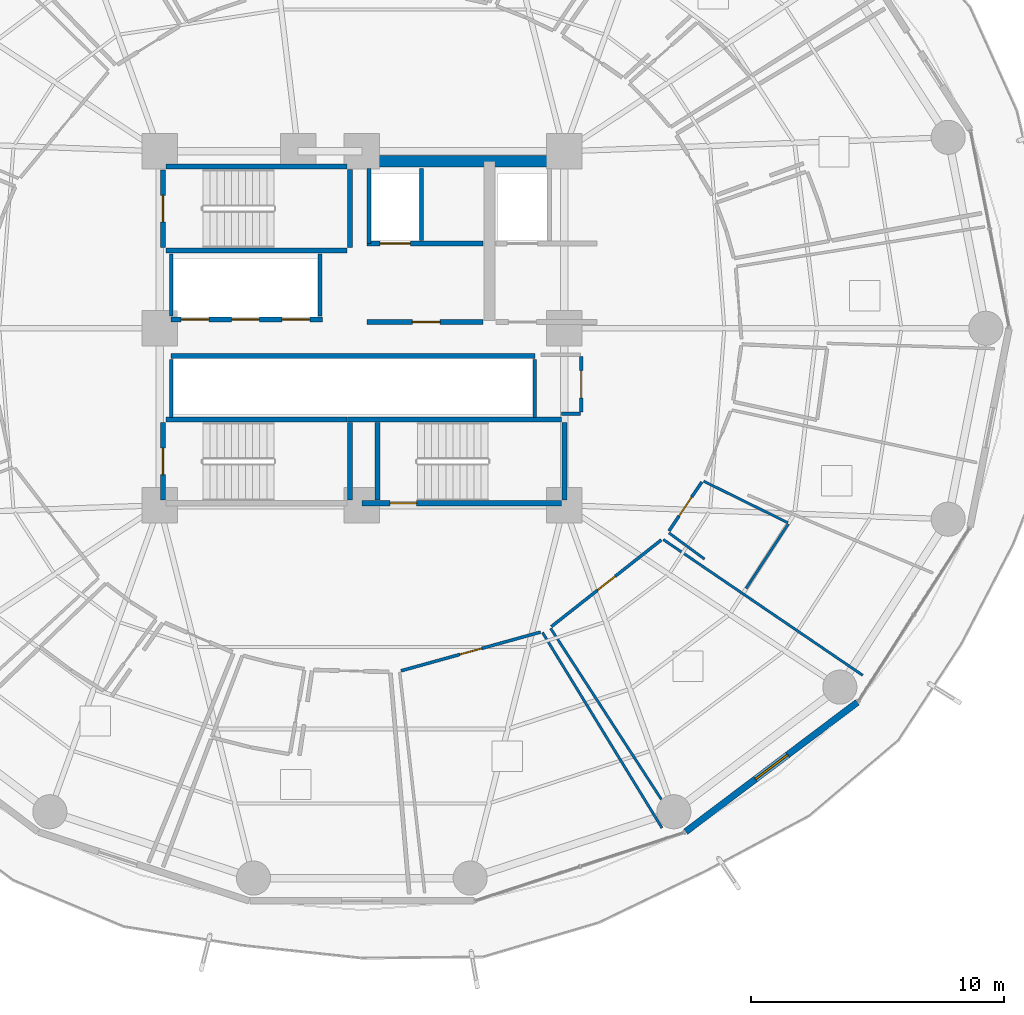
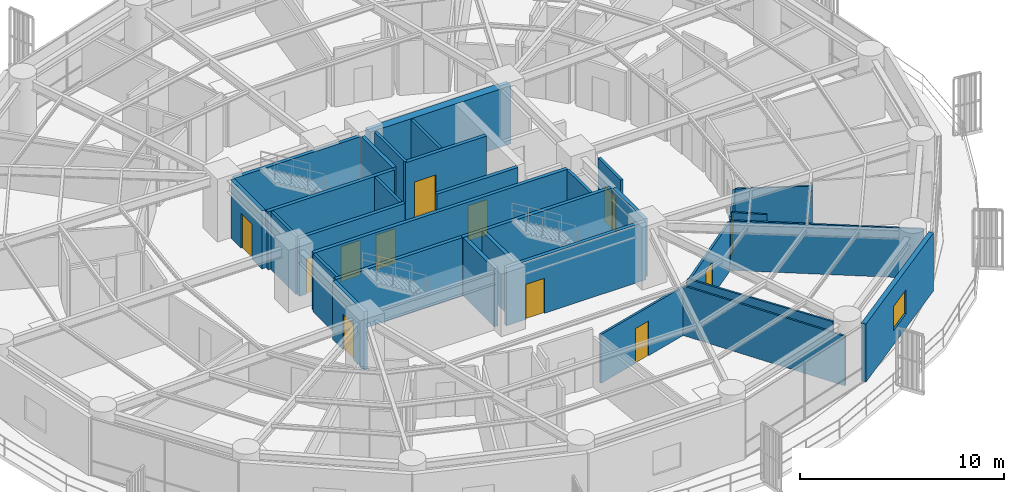
# One storey, part 27 of 34: 34 walls, 12 doors, 1 window, 13 openings.
"""IFC4 building model written with IfcOpenShell, lengths in metres."""

import ifcopenshell
import ifcopenshell.guid

model = None  # the IFC model being written
_history = None  # IfcOwnerHistory: only IFC2X3 demands one
_inside = {}  # id of a spatial element -> (the spatial element, [elements in it])
_under = {}  # id of a project, library or spatial element -> (it, [spatial elements below it])
_declared = {}  # id of a project -> (the project, [libraries it declares])
_typed = {}  # id of a type object -> (the type object, [elements of that type])
_made_of = {}  # id of a material, layer set ... -> (it, [elements and type objects made of it])


def new_model(schema):
    """Start an empty IFC model of exactly this schema.

    Asked for "IFC4X3", IfcOpenShell would pick the latest addendum, in which some entities
    have other attributes; the version numbers below select the first issue.
    IFC2X3 requires an IfcOwnerHistory on every rooted entity: one is made here for all.
    """
    global model, _history
    if schema == "IFC4X3":
        model = ifcopenshell.file(schema_version=(4, 3, 0, 0))
    else:
        model = ifcopenshell.file(schema=schema)
    _inside.clear()
    _under.clear()
    _declared.clear()
    _typed.clear()
    _made_of.clear()
    _history = None
    if model.schema == "IFC2X3":
        org = make("IfcOrganization", Name="unknown")
        user = make(
            "IfcPersonAndOrganization",
            ThePerson=make("IfcPerson", FamilyName="unknown"),
            TheOrganization=org,
        )
        app = make(
            "IfcApplication",
            ApplicationDeveloper=org,
            Version="unknown",
            ApplicationFullName="unknown",
            ApplicationIdentifier="unknown",
        )
        _history = make(
            "IfcOwnerHistory",
            OwningUser=user,
            OwningApplication=app,
            ChangeAction="ADDED",
            CreationDate=0,
        )
    return model


def make(cls, **values):
    """One entity of the class cls with the attributes given. An attribute that is None is left unset."""
    return model.create_entity(
        cls, **{name: value for name, value in values.items() if value is not None}
    )


def rooted(cls, **values):
    """An entity with a GlobalId (a new one), such as an element, a storey or a relation."""
    return make(cls, GlobalId=ifcopenshell.guid.new(), OwnerHistory=_history, **values)


def si_unit(unit_type, name, prefix=None):
    """IfcSIUnit, for example si_unit("LENGTHUNIT", "METRE", prefix="MILLI")."""
    return make("IfcSIUnit", UnitType=unit_type, Prefix=prefix, Name=name)


def assignment(units):
    """IfcUnitAssignment: the units of a project."""
    return None if units is None else make("IfcUnitAssignment", Units=units)


def point(xyz):
    """IfcCartesianPoint."""
    return None if xyz is None else make("IfcCartesianPoint", Coordinates=xyz)


def direction(xyz):
    """IfcDirection."""
    return None if xyz is None else make("IfcDirection", DirectionRatios=xyz)


def frame(location, z_axis=None, x_axis=None):
    """IfcAxis2Placement3D, a coordinate frame: its origin and axes. An axis left out is left unset."""
    return make(
        "IfcAxis2Placement3D",
        Location=point(location),
        Axis=direction(z_axis),
        RefDirection=direction(x_axis),
    )


def frame_2d(location, x_axis=None):
    """IfcAxis2Placement2D, a coordinate frame in the plane: its origin and x axis."""
    return make(
        "IfcAxis2Placement2D", Location=point(location), RefDirection=direction(x_axis)
    )


def origin():
    """The frame at (0, 0, 0) with its axes left unset."""
    return frame((0.0, 0.0, 0.0))


def place(relative_to, where):
    """IfcLocalPlacement: puts the frame where relative to a parent placement (None: the world)."""
    return make(
        "IfcLocalPlacement", PlacementRelTo=relative_to, RelativePlacement=where
    )


def context(
    kind, dimensions, precision=None, world=None, true_north=None, identifier=None
):
    """IfcGeometricRepresentationContext, for example the 3D "Model" context."""
    return make(
        "IfcGeometricRepresentationContext",
        ContextIdentifier=identifier,
        ContextType=kind,
        CoordinateSpaceDimension=dimensions,
        Precision=precision,
        WorldCoordinateSystem=world,
        TrueNorth=true_north,
    )


def subcontext(parent, identifier, kind, view, scale=None):
    """IfcGeometricRepresentationSubContext, for example "Body" below "Model"."""
    return make(
        "IfcGeometricRepresentationSubContext",
        ContextIdentifier=identifier,
        ContextType=kind,
        ParentContext=parent,
        TargetScale=scale,
        TargetView=view,
    )


def project(units=None, contexts=None):
    """IfcProject with its units and contexts."""
    return rooted(
        "IfcProject",
        Name="project",
        RepresentationContexts=contexts,
        UnitsInContext=assignment(units),
    )


def spatial(cls, under=None, at=None, **own):
    """A site, building, storey or space (cls), placed at a placement, below another one or the project."""
    s = rooted(cls, ObjectPlacement=at, **own)
    if under is not None:
        _under.setdefault(under.id(), (under, []))[1].append(s)
    return s


def profile(cls, at=None, kind="AREA", **sizes):
    """A parametric profile (cls). Its sizes go by their IFC names, for example OverallWidth=200.0."""
    return make(cls, ProfileType=kind, Position=at, **sizes)


def rectangle(**sizes):
    """IfcRectangleProfileDef."""
    return profile("IfcRectangleProfileDef", **sizes)


def extrude(swept, where, along, depth):
    """IfcExtrudedAreaSolid: the profile swept, set in the frame where, extruded along a direction by depth."""
    return make(
        "IfcExtrudedAreaSolid",
        SweptArea=swept,
        Position=where,
        ExtrudedDirection=direction(along),
        Depth=depth,
    )


def shape(context_of_items, identifier, shape_type, items):
    """IfcShapeRepresentation: the items that make up one representation, for example the "Body"."""
    return make(
        "IfcShapeRepresentation",
        ContextOfItems=context_of_items,
        RepresentationIdentifier=identifier,
        RepresentationType=shape_type,
        Items=items,
    )


def material(Name=None, Category=None):
    """IfcMaterial."""
    return make("IfcMaterial", Name=Name, Category=Category)


def layer(
    of_material, thickness, ventilated=None, Name=None, Category=None, Priority=None
):
    """IfcMaterialLayer: one layer of a wall or slab, of a material (None: an air gap)."""
    return make(
        "IfcMaterialLayer",
        Material=of_material,
        LayerThickness=thickness,
        IsVentilated=ventilated,
        Name=Name,
        Category=Category,
        Priority=Priority,
    )


def layer_set(layers, Name=None):
    """IfcMaterialLayerSet."""
    return make("IfcMaterialLayerSet", MaterialLayers=layers, LayerSetName=Name)


def made_of(thing, what):
    """Note that an element or type object is made of a material, layer set ...; save() writes the relation."""
    if what is not None:
        _made_of.setdefault(what.id(), (what, []))[1].append(thing)
    return thing


def type_object(cls, material=None, **own):
    """A type object (cls), such as IfcWallType, which elements share."""
    return made_of(rooted(cls, **own), material)


def element(
    cls,
    number,
    at=None,
    inside=None,
    cuts=None,
    type_object=None,
    material=None,
    context=None,
    identifier="Body",
    shape_type=None,
    held_by="IfcProductDefinitionShape",
    body=None,
    shapes=None,
    **own,
):
    """One element of the class cls, such as IfcWall. Its Tag is "e" and its number.

    at: its placement. inside: the storey or other place that contains it. cuts: it is an
    opening in that element (IfcRelVoidsElement). A single representation is given by context,
    identifier, shape_type and body (its items); several are given by shapes. held_by: the class
    of the entity that holds the representations. save() writes the other relations.
    """
    e = rooted(cls, Tag="e%d" % number, ObjectPlacement=at, **own)
    if body is not None:
        shapes = [shape(context, identifier, shape_type, body)]
    if shapes is not None:
        e.Representation = make(held_by, Representations=shapes)
    if inside is not None:
        _inside.setdefault(inside.id(), (inside, []))[1].append(e)
    if cuts is not None:
        rooted(
            "IfcRelVoidsElement", RelatingBuildingElement=cuts, RelatedOpeningElement=e
        )
    if type_object is not None:
        _typed.setdefault(type_object.id(), (type_object, []))[1].append(e)
    return made_of(e, material)


def fill(opening, filler):
    """IfcRelFillsElement: the door or window that sits in an opening."""
    return rooted(
        "IfcRelFillsElement",
        RelatingOpeningElement=opening,
        RelatedBuildingElement=filler,
    )


def aggregate(whole, parts):
    """IfcRelAggregates: a whole, such as a stair, and the parts it consists of."""
    return rooted("IfcRelAggregates", RelatingObject=whole, RelatedObjects=parts)


def save(model, path):
    """Write the relations noted so far, then the file.

    IfcRelAggregates (storeys below a building ...), IfcRelContainedInSpatialStructure (elements
    in a storey), IfcRelDefinesByType, IfcRelAssociatesMaterial and IfcRelDeclares: one each for
    every whole, place, type object, material and project.
    """
    for whole, parts in _under.values():
        aggregate(whole, parts)
    for where, things in _inside.values():
        rooted(
            "IfcRelContainedInSpatialStructure",
            RelatedElements=things,
            RelatingStructure=where,
        )
    for kind, things in _typed.values():
        rooted("IfcRelDefinesByType", RelatedObjects=things, RelatingType=kind)
    for what, things in _made_of.values():
        rooted("IfcRelAssociatesMaterial", RelatedObjects=things, RelatingMaterial=what)
    for by, libraries in _declared.values():
        rooted("IfcRelDeclares", RelatingContext=by, RelatedDefinitions=libraries)
    model.write(path)


model = new_model("IFC4")

# Units and contexts
model_context = context("Model", 3, precision=1e-05, world=origin(), true_north=direction((0.0, 1.0)))
body_context = subcontext(model_context, "Body", "Model", "MODEL_VIEW")
ifc_project = project(units=[si_unit("LENGTHUNIT", "METRE"), si_unit("AREAUNIT", "SQUARE_METRE"), si_unit("VOLUMEUNIT", "CUBIC_METRE"), si_unit("PLANEANGLEUNIT", "RADIAN"), si_unit("MASSUNIT", "GRAM", prefix="KILO")], contexts=[model_context])

# Site, building, storey
site_placement = place(None, origin())
site = spatial("IfcSite", under=ifc_project, at=site_placement, CompositionType="ELEMENT")
building_placement = place(site_placement, origin())
building = spatial("IfcBuilding", under=site, at=building_placement, Name="Kelanora Arch Commons", CompositionType="ELEMENT")
storey_placement = place(building_placement, frame((0.0, 0.0, 76.35009765625)))
storey = spatial("IfcBuildingStorey", under=building, at=storey_placement, Name="L19", CompositionType="ELEMENT", Elevation=76.35009765625)

# Walls
ifc_material_1 = material(Name="Autoclaved aerated concrete blockwork with fire plaster", Category="masonry")
ifc_layer_1 = layer(ifc_material_1, 0.14990234375)
ifc_layer_set_1 = layer_set([ifc_layer_1], Name="Autoclaved aerated concrete blockwork with fire plaster")
wall_type_1 = type_object("IfcWallType", Name="W-COMP-150", PredefinedType="PARTITIONING", material=ifc_layer_set_1)
wall_1_placement = place(storey_placement, frame((74.280029296875, 61.35009765625, 0.0), z_axis=(0.0, 0.0, 1.0), x_axis=(0.0, 1.0, 0.0)))
element("IfcWall", 1, at=wall_1_placement, inside=storey, type_object=wall_type_1, Name="Firefighting Lift 1 West Shaft Wall L19", PredefinedType="PARTITIONING", context=body_context, shape_type="SweptSolid", body=[
    extrude(rectangle(XDim=2.969970703125, YDim=0.14990234375, at=frame_2d((1.48486328125, 0.0))), origin(), (0.0, 0.0, 1.0), 3.47998046875),
])
wall_2_placement = place(storey_placement, frame((76.360107421875, 61.47998046875, 0.0), z_axis=(0.0, 0.0, 1.0), x_axis=(0.0, 1.0, 0.0)))
element("IfcWall", 2, at=wall_2_placement, inside=storey, type_object=wall_type_1, Name="Firefighting Lift 1 East Shaft Wall L19", PredefinedType="PARTITIONING", context=body_context, shape_type="SweptSolid", body=[
    extrude(rectangle(XDim=2.840087890625, YDim=0.14990234375, at=frame_2d((1.419921875, 0.0))), origin(), (0.0, 0.0, 1.0), 3.47998046875),
])
for number, where, z_axis, x_axis, name in (
    (3, (66.4599609375, 58.47998046875, 0.0), (0.0, 0.0, 1.0), (0.0, 1.0, 0.0), "Low-Rise Lift Bank West Wall L19"),
    (4, (72.340087890625, 58.47998046875, 0.0), (0.0, 0.0, 1.0), (0.0, 1.0, 0.0), "Low-Rise Lift Bank East Wall L19"),
):
    element("IfcWall", number, at=place(storey_placement, frame(where, z_axis=z_axis, x_axis=x_axis)), inside=storey, type_object=wall_type_1, Name=name, PredefinedType="PARTITIONING", context=body_context, shape_type="SweptSolid", body=[
        extrude(rectangle(XDim=2.4599609375, YDim=0.14990234375, at=frame_2d((1.22998046875, 0.0))), origin(), (0.0, 0.0, 1.0), 3.47998046875),
    ])
for number, where, z_axis, x_axis, name in (
    (5, (66.4599609375, 54.47998046875, 0.0), (0.0, 0.0, 1.0), (0.0, 1.0, 0.0), "South Lift Bank West Wall L19"),
    (6, (80.840087890625, 54.47998046875, 0.0), (0.0, 0.0, 1.0), (0.0, 1.0, 0.0), "South Lift Bank East Wall L19"),
):
    element("IfcWall", number, at=place(storey_placement, frame(where, z_axis=z_axis, x_axis=x_axis)), inside=storey, type_object=wall_type_1, Name=name, PredefinedType="PARTITIONING", context=body_context, shape_type="SweptSolid", body=[
        extrude(rectangle(XDim=2.2900390625, YDim=0.14990234375, at=frame_2d((1.14501953125, 0.0))), origin(), (0.0, 0.0, 1.0), 3.47998046875),
    ])

# Wall, opening, door
wall_3_placement = place(storey_placement, frame((82.679931640625, 54.679931640625, 0.0), z_axis=(0.0, 0.0, 1.0), x_axis=(0.0, 1.0, 0.0)))
wall_3 = element("IfcWall", 7, at=wall_3_placement, inside=storey, type_object=wall_type_1, Name="Core Housekeeping Store L19 Entry Partition", PredefinedType="PARTITIONING", context=body_context, shape_type="SweptSolid", body=[
    extrude(rectangle(XDim=2.2099609375, YDim=0.14990234375, at=frame_2d((1.10498046875, 0.0))), origin(), (0.0, 0.0, 1.0), 3.47998046875),
])
opening_1_placement = place(wall_3_placement, frame((0.56494140625, 0.0, 0.0)))
opening_1 = element("IfcOpeningElement", 8, at=opening_1_placement, cuts=wall_3, Name="Opening D-PLT1", PredefinedType="OPENING", context=body_context, shape_type="SweptSolid", body=[
    extrude(rectangle(XDim=1.080078125, YDim=2.10009765625, at=frame_2d((0.5400390625, 1.050048828125))), frame((0.0, 0.0849609375, 0.0), z_axis=(0.0, -1.0, 0.0), x_axis=(1.0, 0.0, 0.0)), (0.0, 0.0, 1.0), 0.169921875),
])
ifc_material_2 = material(Name="Galvanised steel plant and riser fire door", Category="steel")
door_type_1 = type_object("IfcDoorType", Name="D-PLT-110", OperationType="NOTDEFINED", PredefinedType="DOOR", material=ifc_material_2)
door_1_placement = place(opening_1_placement, origin())
door_1 = element("IfcDoor", 9, at=door_1_placement, inside=storey, type_object=door_type_1, Name="Core Housekeeping Store L19 Door", OperationType="SINGLE_SWING_LEFT", OverallHeight=2.10009765625, OverallWidth=1.080078125, PredefinedType="DOOR", context=body_context, shape_type="SweptSolid", body=[
    extrude(rectangle(XDim=1.080078125, YDim=2.10009765625, at=frame_2d((0.5400390625, 1.050048828125))), frame((0.0, 0.02490234375, 0.0), z_axis=(0.0, -1.0, 0.0), x_axis=(1.0, 0.0, 0.0)), (0.0, 0.0, 1.0), 0.050048828125),
])
fill(opening_1, door_1)

# Walls
wall_4_placement = place(storey_placement, frame((81.89990234375, 54.6201171875, 0.0), z_axis=(0.0, 0.0, 1.0), x_axis=(1.0, 0.0, 0.0)))
element("IfcWall", 10, at=wall_4_placement, inside=storey, type_object=wall_type_1, Name="Core Housekeeping Store L19 Enclosure Partition 1", PredefinedType="PARTITIONING", context=body_context, shape_type="SweptSolid", body=[
    extrude(rectangle(XDim=0.739990234375, YDim=0.14990234375, at=frame_2d((0.3701171875, 0.0))), origin(), (0.0, 0.0, 1.0), 2.77490234375),
])
ifc_material_3 = material(Name="Concrete C60/75", Category="concrete")
ifc_layer_2 = layer(ifc_material_3, 0.449951171875)
ifc_layer_set_2 = layer_set([ifc_layer_2], Name="Concrete C60/75")
wall_type_2 = type_object("IfcWallType", Name="W-CORE-450", PredefinedType="SHEAR", material=ifc_layer_set_2)
wall_5_placement = place(storey_placement, frame((74.0, 64.60009765625, 0.0), z_axis=(0.0, 0.0, 1.0), x_axis=(1.0, 0.0, 0.0)))
element("IfcWall", 11, at=wall_5_placement, inside=storey, type_object=wall_type_2, Name="Core Shear Spine L19-CN-E", PredefinedType="SHEAR", context=body_context, shape_type="SweptSolid", body=[
    extrude(rectangle(XDim=8.0, YDim=0.449951171875, at=frame_2d((4.0, 0.0))), origin(), (0.0, 0.0, 1.0), 3.489990234375),
])

# Wall, opening, window
ifc_material_4 = material(Name="Precast concrete C40/50 with terracotta rainscreen", Category="masonry")
ifc_layer_3 = layer(ifc_material_4, 0.260009765625)
ifc_layer_set_3 = layer_set([ifc_layer_3], Name="Precast concrete C40/50 with terracotta rainscreen")
wall_type_3 = type_object("IfcWallType", Name="W-EXT-TC", PredefinedType="SOLIDWALL", material=ifc_layer_set_3)
wall_6_placement = place(storey_placement, frame((86.81201171875, 38.09033203125, 0.0), z_axis=(0.0, 0.0, 1.0), x_axis=(0.798501507879, 0.601992808857, 0.0)))
wall_6 = element("IfcWall", 12, at=wall_6_placement, inside=storey, type_object=wall_type_3, Name="Terracotta Exterior Wall L19-B15", PredefinedType="SOLIDWALL", context=body_context, shape_type="SweptSolid", body=[
    extrude(rectangle(XDim=8.499267578125, YDim=0.260009765625, at=frame_2d((4.24951171875, 0.0))), origin(), (0.0, 0.0, 1.0), 3.474853515625),
])
opening_2_placement = place(wall_6_placement, frame((3.449951171875, 0.0, 0.85009765625)))
opening_2 = element("IfcOpeningElement", 13, at=opening_2_placement, cuts=wall_6, Name="Opening WN-01", PredefinedType="OPENING", context=body_context, shape_type="SweptSolid", body=[
    extrude(rectangle(XDim=1.60009765625, YDim=1.449951171875, at=frame_2d((0.800048828125, 0.72509765625))), frame((0.0, 0.14013671875, 0.0), z_axis=(0.0, -1.0, 0.0), x_axis=(1.0, 0.0, 0.0)), (0.0, 0.0, 1.0), 0.280029296875),
])
ifc_material_5 = material(Name="Terracotta-anodised aluminium frame with operable low-E glazing", Category="masonry")
window_type = type_object("IfcWindowType", Name="WIN-CL-18", PartitioningType="DOUBLE_PANEL_VERTICAL", PredefinedType="WINDOW", material=ifc_material_5)
window_placement = place(opening_2_placement, origin())
window = element("IfcWindow", 14, at=window_placement, inside=storey, type_object=window_type, Name="Co-Living Operable Window L19-B15", OverallHeight=1.449951171875, OverallWidth=1.60009765625, PartitioningType="SINGLE_PANEL", PredefinedType="WINDOW", context=body_context, shape_type="SweptSolid", body=[
    extrude(rectangle(XDim=1.60009765625, YDim=1.449951171875, at=frame_2d((0.800048828125, 0.72509765625))), frame((0.0, 0.030029296875, 0.0), z_axis=(0.0, -1.0, 0.0), x_axis=(1.0, 0.0, 0.0)), (0.0, 0.0, 1.0), 0.06005859375),
])
fill(opening_2, window)

# Wall, opening, door
ifc_material_6 = material(Name="Concrete C40/50", Category="concrete")
ifc_layer_4 = layer(ifc_material_6, 0.199951171875)
ifc_layer_set_4 = layer_set([ifc_layer_4], Name="Concrete C40/50")
wall_type_4 = type_object("IfcWallType", Name="W-FFL-200", PredefinedType="SOLIDWALL", material=ifc_layer_set_4)
wall_7_placement = place(storey_placement, frame((74.199951171875, 61.35009765625, 0.0), z_axis=(0.0, 0.0, 1.0), x_axis=(1.0, 0.0, 0.0)))
wall_7 = element("IfcWall", 15, at=wall_7_placement, inside=storey, type_object=wall_type_4, Name="Firefighting Lift 1 Shaft Front L19", PredefinedType="SOLIDWALL", context=body_context, shape_type="SweptSolid", body=[
    extrude(rectangle(XDim=4.60009765625, YDim=0.199951171875, at=frame_2d((2.300048828125, 0.0))), origin(), (0.0, 0.0, 1.0), 3.47998046875),
])
opening_3_placement = place(wall_7_placement, frame((0.52001953125, 0.0, 0.0)))
opening_3 = element("IfcOpeningElement", 16, at=opening_3_placement, cuts=wall_7, Name="Opening LD-FF", PredefinedType="OPENING", context=body_context, shape_type="SweptSolid", body=[
    extrude(rectangle(XDim=1.199951171875, YDim=2.14990234375, at=frame_2d((0.60009765625, 1.074951171875))), frame((0.0, 0.10986328125, 0.0), z_axis=(0.0, -1.0, 0.0), x_axis=(1.0, 0.0, 0.0)), (0.0, 0.0, 1.0), 0.219970703125),
])
ifc_material_7 = material(Name="Fire-rated firefighters lift sliding landing door")
door_type_2 = type_object("IfcDoorType", Name="D-LIFT-FF", OperationType="NOTDEFINED", PredefinedType="DOOR", material=ifc_material_7)
door_2_placement = place(opening_3_placement, origin())
door_2 = element("IfcDoor", 17, at=door_2_placement, inside=storey, type_object=door_type_2, Name="Firefighting Lift LF-FF1 Landing Door L19", OperationType="DOUBLE_DOOR_SLIDING", OverallHeight=2.14990234375, OverallWidth=1.199951171875, PredefinedType="DOOR", context=body_context, shape_type="SweptSolid", body=[
    extrude(rectangle(XDim=1.199951171875, YDim=2.14990234375, at=frame_2d((0.60009765625, 1.074951171875))), frame((0.0, 0.02490234375, 0.0), z_axis=(0.0, -1.0, 0.0), x_axis=(1.0, 0.0, 0.0)), (0.0, 0.0, 1.0), 0.050048828125),
])
fill(opening_3, door_2)

wall_8_placement = place(storey_placement, frame((74.199951171875, 58.25, 0.0), z_axis=(0.0, 0.0, 1.0), x_axis=(1.0, 0.0, 0.0)))
wall_8 = element("IfcWall", 18, at=wall_8_placement, inside=storey, type_object=wall_type_4, Name="Firefighting Lobby 1 Enclosure Wall L19", PredefinedType="SOLIDWALL", context=body_context, shape_type="SweptSolid", body=[
    extrude(rectangle(XDim=4.60009765625, YDim=0.199951171875, at=frame_2d((2.300048828125, 0.0))), origin(), (0.0, 0.0, 1.0), 3.47998046875),
])
opening_4_placement = place(wall_8_placement, frame((1.800048828125, 0.0, 0.0)))
opening_4 = element("IfcOpeningElement", 19, at=opening_4_placement, cuts=wall_8, Name="Opening D-FFL1", PredefinedType="OPENING", context=body_context, shape_type="SweptSolid", body=[
    extrude(rectangle(XDim=1.10009765625, YDim=2.10009765625, at=frame_2d((0.550048828125, 1.050048828125))), frame((0.0, 0.10986328125, 0.0), z_axis=(0.0, -1.0, 0.0), x_axis=(1.0, 0.0, 0.0)), (0.0, 0.0, 1.0), 0.219970703125),
])
ifc_material_8 = material(Name="Smoke-sealed firefighting lobby fire door")
door_type_3 = type_object("IfcDoorType", Name="D-FFL-110", OperationType="NOTDEFINED", PredefinedType="DOOR", material=ifc_material_8)
door_3_placement = place(opening_4_placement, frame((1.10009765625, 0.0, 0.0), z_axis=(0.0, 0.0, 1.0), x_axis=(-1.0, 0.0, 0.0)))
door_3 = element("IfcDoor", 20, at=door_3_placement, inside=storey, type_object=door_type_3, Name="Firefighting Lobby 1 Door L19", OperationType="SINGLE_SWING_LEFT", OverallHeight=2.10009765625, OverallWidth=1.10009765625, PredefinedType="DOOR", context=body_context, shape_type="SweptSolid", body=[
    extrude(rectangle(XDim=1.10009765625, YDim=2.10009765625, at=frame_2d((0.550048828125, 1.050048828125))), frame((0.0, 0.02490234375, 0.0), z_axis=(0.0, -1.0, 0.0), x_axis=(1.0, 0.0, 0.0)), (0.0, 0.0, 1.0), 0.050048828125),
])
fill(opening_4, door_3)

# Wall, openings, doors
wall_9_placement = place(storey_placement, frame((66.449951171875, 58.35009765625, 0.0), z_axis=(0.0, 0.0, 1.0), x_axis=(1.0, 0.0, 0.0)))
wall_9 = element("IfcWall", 21, at=wall_9_placement, inside=storey, type_object=wall_type_4, Name="Low-Rise Passenger Lift Shaft Front L19", PredefinedType="SOLIDWALL", context=body_context, shape_type="SweptSolid", body=[
    extrude(rectangle(XDim=6.0, YDim=0.199951171875, at=frame_2d((3.0, 0.0))), origin(), (0.0, 0.0, 1.0), 3.47998046875),
])
opening_5_placement = place(wall_9_placement, frame((0.39990234375, 0.0, 0.0)))
opening_5 = element("IfcOpeningElement", 22, at=opening_5_placement, cuts=wall_9, Name="Opening LD-01", PredefinedType="OPENING", context=body_context, shape_type="SweptSolid", body=[
    extrude(rectangle(XDim=1.10009765625, YDim=2.10009765625, at=frame_2d((0.550048828125, 1.050048828125))), frame((0.0, 0.10986328125, 0.0), z_axis=(0.0, -1.0, 0.0), x_axis=(1.0, 0.0, 0.0)), (0.0, 0.0, 1.0), 0.219970703125),
])
opening_6_placement = place(wall_9_placement, frame((2.39990234375, 0.0, 0.0)))
opening_6 = element("IfcOpeningElement", 23, at=opening_6_placement, cuts=wall_9, Name="Opening LD-01", PredefinedType="OPENING", context=body_context, shape_type="SweptSolid", body=[
    extrude(rectangle(XDim=1.10009765625, YDim=2.10009765625, at=frame_2d((0.550048828125, 1.050048828125))), frame((0.0, 0.10986328125, 0.0), z_axis=(0.0, -1.0, 0.0), x_axis=(1.0, 0.0, 0.0)), (0.0, 0.0, 1.0), 0.219970703125),
])
opening_7_placement = place(wall_9_placement, frame((4.39990234375, 0.0, 0.0)))
opening_7 = element("IfcOpeningElement", 24, at=opening_7_placement, cuts=wall_9, Name="Opening LD-01", PredefinedType="OPENING", context=body_context, shape_type="SweptSolid", body=[
    extrude(rectangle(XDim=1.10009765625, YDim=2.10009765625, at=frame_2d((0.550048828125, 1.050048828125))), frame((0.0, 0.10986328125, 0.0), z_axis=(0.0, -1.0, 0.0), x_axis=(1.0, 0.0, 0.0)), (0.0, 0.0, 1.0), 0.219970703125),
])
ifc_material_9 = material(Name="Stainless steel passenger lift sliding landing door", Category="steel")
door_type_4 = type_object("IfcDoorType", Name="D-LIFT-110", OperationType="NOTDEFINED", PredefinedType="DOOR", material=ifc_material_9)
door_4_placement = place(opening_5_placement, origin())
door_4 = element("IfcDoor", 25, at=door_4_placement, inside=storey, type_object=door_type_4, Name="Passenger Lift LF-P1 Landing Door L19", OperationType="DOUBLE_DOOR_SLIDING", OverallHeight=2.10009765625, OverallWidth=1.10009765625, PredefinedType="DOOR", context=body_context, shape_type="SweptSolid", body=[
    extrude(rectangle(XDim=1.10009765625, YDim=2.10009765625, at=frame_2d((0.550048828125, 1.050048828125))), frame((0.0, 0.02490234375, 0.0), z_axis=(0.0, -1.0, 0.0), x_axis=(1.0, 0.0, 0.0)), (0.0, 0.0, 1.0), 0.050048828125),
])
fill(opening_5, door_4)
door_5_placement = place(opening_6_placement, origin())
door_5 = element("IfcDoor", 26, at=door_5_placement, inside=storey, type_object=door_type_4, Name="Passenger Lift LF-P2 Landing Door L19", OperationType="DOUBLE_DOOR_SLIDING", OverallHeight=2.10009765625, OverallWidth=1.10009765625, PredefinedType="DOOR", context=body_context, shape_type="SweptSolid", body=[
    extrude(rectangle(XDim=1.10009765625, YDim=2.10009765625, at=frame_2d((0.550048828125, 1.050048828125))), frame((0.0, 0.02490234375, 0.0), z_axis=(0.0, -1.0, 0.0), x_axis=(1.0, 0.0, 0.0)), (0.0, 0.0, 1.0), 0.050048828125),
])
fill(opening_6, door_5)
door_6_placement = place(opening_7_placement, origin())
door_6 = element("IfcDoor", 27, at=door_6_placement, inside=storey, type_object=door_type_4, Name="Passenger Lift LF-P3 Landing Door L19", OperationType="DOUBLE_DOOR_SLIDING", OverallHeight=2.10009765625, OverallWidth=1.10009765625, PredefinedType="DOOR", context=body_context, shape_type="SweptSolid", body=[
    extrude(rectangle(XDim=1.10009765625, YDim=2.10009765625, at=frame_2d((0.550048828125, 1.050048828125))), frame((0.0, 0.02490234375, 0.0), z_axis=(0.0, -1.0, 0.0), x_axis=(1.0, 0.0, 0.0)), (0.0, 0.0, 1.0), 0.050048828125),
])
fill(opening_7, door_6)

# Walls
wall_10_placement = place(storey_placement, frame((66.449951171875, 56.89990234375, 0.0), z_axis=(0.0, 0.0, 1.0), x_axis=(1.0, 0.0, 0.0)))
element("IfcWall", 28, at=wall_10_placement, inside=storey, type_object=wall_type_4, Name="Mid/High/Express Lift Shaft Front L19", PredefinedType="SOLIDWALL", context=body_context, shape_type="SweptSolid", body=[
    extrude(rectangle(XDim=14.400146484375, YDim=0.199951171875, at=frame_2d((7.2001953125, 0.0))), origin(), (0.0, 0.0, 1.0), 3.47998046875),
])
ifc_material_10 = material(Name="Lightweight fire-rated acoustic stud partition")
ifc_layer_5 = layer(ifc_material_10, 0.10009765625)
ifc_layer_set_5 = layer_set([ifc_layer_5], Name="Lightweight fire-rated acoustic stud partition")
wall_type_5 = type_object("IfcWallType", Name="W-PART-100", PredefinedType="PARTITIONING", material=ifc_layer_set_5)
wall_11_placement = place(storey_placement, frame((81.14697265625, 45.96484375, 0.0), z_axis=(0.0, 0.0, 1.0), x_axis=(0.521624536189, -0.853175153908, 0.0)))
element("IfcWall", 29, at=wall_11_placement, inside=storey, type_object=wall_type_5, Name="Quiet Seminar Study Room L19-12 Enclosure Partition 2", PredefinedType="PARTITIONING", context=body_context, shape_type="SweptSolid", body=[
    extrude(rectangle(XDim=9.052734375, YDim=0.10009765625, at=frame_2d((4.5263671875, 0.0))), origin(), (0.0, 0.0, 1.0), 2.974853515625),
])
wall_12_placement = place(storey_placement, frame((85.925048828125, 49.642578125, 0.0), z_axis=(0.0, 0.0, 1.0), x_axis=(0.826688408753, -0.562659999319, 0.0)))
element("IfcWall", 30, at=wall_12_placement, inside=storey, type_object=wall_type_5, Name="Quiet Seminar Study Room L19-13 Enclosure Partition 2", PredefinedType="PARTITIONING", context=body_context, shape_type="SweptSolid", body=[
    extrude(rectangle(XDim=9.5390625, YDim=0.10009765625, at=frame_2d((4.76953125, 0.0))), origin(), (0.0, 0.0, 1.0), 2.974853515625),
])
wall_13_placement = place(storey_placement, frame((85.84375, 39.3720703125, 0.0), z_axis=(0.0, 0.0, 1.0), x_axis=(-0.543590830013, 0.839350349691, 0.0)))
element("IfcWall", 31, at=wall_13_placement, inside=storey, type_object=wall_type_5, Name="Quiet Seminar Study Room L19-13 Enclosure Partition 4", PredefinedType="PARTITIONING", context=body_context, shape_type="SweptSolid", body=[
    extrude(rectangle(XDim=8.04833984375, YDim=0.10009765625, at=frame_2d((4.024169921875, 0.0))), origin(), (0.0, 0.0, 1.0), 3.1748046875),
])
wall_14_placement = place(storey_placement, frame((87.515869140625, 51.953369140625, 0.0), z_axis=(0.0, 0.0, 1.0), x_axis=(0.896816300292, -0.442403123328, 0.0)))
element("IfcWall", 32, at=wall_14_placement, inside=storey, type_object=wall_type_5, Name="Student Laundry Room L19-14 Enclosure Partition 2", PredefinedType="PARTITIONING", context=body_context, shape_type="SweptSolid", body=[
    extrude(rectangle(XDim=3.719970703125, YDim=0.10009765625, at=frame_2d((1.85986328125, 0.0))), origin(), (0.0, 0.0, 1.0), 2.9248046875),
])
wall_15_placement = place(storey_placement, frame((90.8662109375, 50.256591796875, 0.0), z_axis=(0.0, 0.0, 1.0), x_axis=(-0.548626626693, -0.836067476035, 0.0)))
element("IfcWall", 33, at=wall_15_placement, inside=storey, type_object=wall_type_5, Name="Student Laundry Room L19-14 Enclosure Partition 3", PredefinedType="PARTITIONING", context=body_context, shape_type="SweptSolid", body=[
    extrude(rectangle(XDim=3.040771484375, YDim=0.10009765625, at=frame_2d((1.5205078125, 0.0))), origin(), (0.0, 0.0, 1.0), 3.1748046875),
])
wall_16_placement = place(storey_placement, frame((87.552001953125, 48.873779296875, 0.0), z_axis=(0.0, 0.0, 1.0), x_axis=(-0.805902241708, 0.592048627065, 0.0)))
element("IfcWall", 34, at=wall_16_placement, inside=storey, type_object=wall_type_5, Name="Student Laundry Room L19-14 Enclosure Partition 4", PredefinedType="PARTITIONING", context=body_context, shape_type="SweptSolid", body=[
    extrude(rectangle(XDim=1.74560546875, YDim=0.10009765625, at=frame_2d((0.872802734375, 0.0))), origin(), (0.0, 0.0, 1.0), 3.23486328125),
])

# Wall, opening, door
ifc_material_11 = material(Name="Acoustic twin-stud fire-rated gypsum partition")
ifc_layer_6 = layer(ifc_material_11, 0.1201171875)
ifc_layer_set_6 = layer_set([ifc_layer_6], Name="Acoustic twin-stud fire-rated gypsum partition")
wall_type_6 = type_object("IfcWallType", Name="W-PART-120", PredefinedType="PARTITIONING", material=ifc_layer_set_6)
wall_17_placement = place(storey_placement, frame((75.55078125, 44.452880859375, 0.0), z_axis=(0.0, 0.0, 1.0), x_axis=(0.963633279283, 0.267228185374, 0.0)))
wall_17 = element("IfcWall", 35, at=wall_17_placement, inside=storey, type_object=wall_type_6, Name="Quiet Seminar Study Room L19-12 Entry Partition", PredefinedType="PARTITIONING", context=body_context, shape_type="SweptSolid", body=[
    extrude(rectangle(XDim=5.7255859375, YDim=0.1201171875, at=frame_2d((2.86279296875, 0.0))), origin(), (0.0, 0.0, 1.0), 2.9248046875),
])
opening_8_placement = place(wall_17_placement, frame((2.4130859375, 0.0, 0.0)))
opening_8 = element("IfcOpeningElement", 36, at=opening_8_placement, cuts=wall_17, Name="Opening D-RM1", PredefinedType="OPENING", context=body_context, shape_type="SweptSolid", body=[
    extrude(rectangle(XDim=0.89990234375, YDim=2.080078125, at=frame_2d((0.449951171875, 1.0400390625))), frame((0.0, 0.070068359375, 0.0), z_axis=(0.0, -1.0, 0.0), x_axis=(1.0, 0.0, 0.0)), (0.0, 0.0, 1.0), 0.14013671875),
])
ifc_material_12 = material(Name="Acoustic fire-rated timber study and lounge door", Category="wood")
door_type_5 = type_object("IfcDoorType", Name="D-ROOM-90", OperationType="NOTDEFINED", PredefinedType="DOOR", material=ifc_material_12)
door_7_placement = place(opening_8_placement, origin())
door_7 = element("IfcDoor", 37, at=door_7_placement, inside=storey, type_object=door_type_5, Name="Quiet Seminar Study Room L19-12 Door", OperationType="SINGLE_SWING_RIGHT", OverallHeight=2.080078125, OverallWidth=0.89990234375, PredefinedType="DOOR", context=body_context, shape_type="SweptSolid", body=[
    extrude(rectangle(XDim=0.89990234375, YDim=2.080078125, at=frame_2d((0.449951171875, 1.0400390625))), frame((0.0, 0.02490234375, 0.0), z_axis=(0.0, -1.0, 0.0), x_axis=(1.0, 0.0, 0.0)), (0.0, 0.0, 1.0), 0.050048828125),
])
fill(opening_8, door_7)

wall_18_placement = place(storey_placement, frame((81.494140625, 46.197998046875, 0.0), z_axis=(0.0, 0.0, 1.0), x_axis=(0.785315722545, 0.619095482074, 0.0)))
wall_18 = element("IfcWall", 38, at=wall_18_placement, inside=storey, type_object=wall_type_6, Name="Quiet Seminar Study Room L19-13 Entry Partition", PredefinedType="PARTITIONING", context=body_context, shape_type="SweptSolid", body=[
    extrude(rectangle(XDim=5.540283203125, YDim=0.1201171875, at=frame_2d((2.77001953125, 0.0))), origin(), (0.0, 0.0, 1.0), 2.9248046875),
])
opening_9_placement = place(wall_18_placement, frame((2.320068359375, 0.0, 0.0)))
opening_9 = element("IfcOpeningElement", 39, at=opening_9_placement, cuts=wall_18, Name="Opening D-RM1", PredefinedType="OPENING", context=body_context, shape_type="SweptSolid", body=[
    extrude(rectangle(XDim=0.89990234375, YDim=2.080078125, at=frame_2d((0.449951171875, 1.0400390625))), frame((0.0, 0.070068359375, 0.0), z_axis=(0.0, -1.0, 0.0), x_axis=(1.0, 0.0, 0.0)), (0.0, 0.0, 1.0), 0.14013671875),
])
door_8_placement = place(opening_9_placement, origin())
door_8 = element("IfcDoor", 40, at=door_8_placement, inside=storey, type_object=door_type_5, Name="Quiet Seminar Study Room L19-13 Door", OperationType="SINGLE_SWING_LEFT", OverallHeight=2.080078125, OverallWidth=0.89990234375, PredefinedType="DOOR", context=body_context, shape_type="SweptSolid", body=[
    extrude(rectangle(XDim=0.89990234375, YDim=2.080078125, at=frame_2d((0.449951171875, 1.0400390625))), frame((0.0, 0.02490234375, 0.0), z_axis=(0.0, -1.0, 0.0), x_axis=(1.0, 0.0, 0.0)), (0.0, 0.0, 1.0), 0.050048828125),
])
fill(opening_9, door_8)

wall_19_placement = place(storey_placement, frame((86.146484375, 49.980712890625, 0.0), z_axis=(0.0, 0.0, 1.0), x_axis=(0.556604342457, 0.83077771152, 0.0)))
wall_19 = element("IfcWall", 41, at=wall_19_placement, inside=storey, type_object=wall_type_6, Name="Student Laundry Room L19-14 Entry Partition", PredefinedType="PARTITIONING", context=body_context, shape_type="SweptSolid", body=[
    extrude(rectangle(XDim=2.335693359375, YDim=0.1201171875, at=frame_2d((1.16796875, 0.0))), origin(), (0.0, 0.0, 1.0), 2.9248046875),
])
opening_10_placement = place(wall_19_placement, frame((0.718017578125, 0.0, 0.0)))
opening_10 = element("IfcOpeningElement", 42, at=opening_10_placement, cuts=wall_19, Name="Opening D-RM1", PredefinedType="OPENING", context=body_context, shape_type="SweptSolid", body=[
    extrude(rectangle(XDim=0.89990234375, YDim=2.080078125, at=frame_2d((0.449951171875, 1.0400390625))), frame((0.0, 0.070068359375, 0.0), z_axis=(0.0, -1.0, 0.0), x_axis=(1.0, 0.0, 0.0)), (0.0, 0.0, 1.0), 0.14013671875),
])
door_9_placement = place(opening_10_placement, origin())
door_9 = element("IfcDoor", 43, at=door_9_placement, inside=storey, type_object=door_type_5, Name="Student Laundry Room L19-14 Door", OperationType="SINGLE_SWING_RIGHT", OverallHeight=2.080078125, OverallWidth=0.89990234375, PredefinedType="DOOR", context=body_context, shape_type="SweptSolid", body=[
    extrude(rectangle(XDim=0.89990234375, YDim=2.080078125, at=frame_2d((0.449951171875, 1.0400390625))), frame((0.0, 0.02490234375, 0.0), z_axis=(0.0, -1.0, 0.0), x_axis=(1.0, 0.0, 0.0)), (0.0, 0.0, 1.0), 0.050048828125),
])
fill(opening_10, door_9)

# Walls
ifc_layer_7 = layer(ifc_material_6, 0.199951171875)
ifc_layer_set_7 = layer_set([ifc_layer_7], Name="Concrete C40/50")
wall_type_7 = type_object("IfcWallType", Name="W-STAIR-200", PredefinedType="SHEAR", material=ifc_layer_set_7)
wall_20_placement = place(storey_placement, frame((66.260009765625, 61.080078125, 0.0), z_axis=(0.0, 0.0, 1.0), x_axis=(1.0, 0.0, 0.0)))
element("IfcWall", 44, at=wall_20_placement, inside=storey, type_object=wall_type_7, Name="Stair ST-T1 Shaft Wall S L19", PredefinedType="SHEAR", context=body_context, shape_type="SweptSolid", body=[
    extrude(rectangle(XDim=7.159912109375, YDim=0.199951171875, at=frame_2d((3.580078125, 0.0))), origin(), (0.0, 0.0, 1.0), 3.489990234375),
])
wall_21_placement = place(storey_placement, frame((73.5400390625, 61.199951171875, 0.0), z_axis=(0.0, 0.0, 1.0), x_axis=(0.0, 1.0, 0.0)))
element("IfcWall", 45, at=wall_21_placement, inside=storey, type_object=wall_type_7, Name="Stair ST-T1 Shaft Wall E L19", PredefinedType="SHEAR", context=body_context, shape_type="SweptSolid", body=[
    extrude(rectangle(XDim=3.070068359375, YDim=0.199951171875, at=frame_2d((1.53515625, 0.0))), origin(), (0.0, 0.0, 1.0), 3.489990234375),
])
wall_22_placement = place(storey_placement, frame((73.419921875, 64.389892578125, 0.0), z_axis=(0.0, 0.0, 1.0), x_axis=(-1.0, 0.0, 0.0)))
element("IfcWall", 46, at=wall_22_placement, inside=storey, type_object=wall_type_7, Name="Stair ST-T1 Shaft Wall N L19", PredefinedType="SHEAR", context=body_context, shape_type="SweptSolid", body=[
    extrude(rectangle(XDim=7.159912109375, YDim=0.199951171875, at=frame_2d((3.580078125, 0.0))), origin(), (0.0, 0.0, 1.0), 3.489990234375),
])

# Wall, opening, door
wall_23_placement = place(storey_placement, frame((66.139892578125, 64.27001953125, 0.0), z_axis=(0.0, 0.0, 1.0), x_axis=(0.0, -1.0, 0.0)))
wall_23 = element("IfcWall", 47, at=wall_23_placement, inside=storey, type_object=wall_type_7, Name="Stair ST-T1 Shaft Wall W L19", PredefinedType="SHEAR", context=body_context, shape_type="SweptSolid", body=[
    extrude(rectangle(XDim=3.070068359375, YDim=0.199951171875, at=frame_2d((1.53515625, 0.0))), origin(), (0.0, 0.0, 1.0), 3.489990234375),
])
opening_11_placement = place(wall_23_placement, frame((1.010009765625, 0.0, 0.0)))
opening_11 = element("IfcOpeningElement", 48, at=opening_11_placement, cuts=wall_23, Name="Opening D-ST1", PredefinedType="OPENING", context=body_context, shape_type="SweptSolid", body=[
    extrude(rectangle(XDim=1.050048828125, YDim=2.10009765625, at=frame_2d((0.52490234375, 1.050048828125))), frame((0.0, 0.10986328125, 0.0), z_axis=(0.0, -1.0, 0.0), x_axis=(1.0, 0.0, 0.0)), (0.0, 0.0, 1.0), 0.219970703125),
])
ifc_material_13 = material(Name="Steel fire-rated stairwell escape door", Category="steel")
door_type_6 = type_object("IfcDoorType", Name="D-STAIR-110", OperationType="NOTDEFINED", PredefinedType="DOOR", material=ifc_material_13)
door_10_placement = place(opening_11_placement, origin())
door_10 = element("IfcDoor", 49, at=door_10_placement, inside=storey, type_object=door_type_6, Name="Stair ST-T1 Escape Door L19", OperationType="SINGLE_SWING_LEFT", OverallHeight=2.10009765625, OverallWidth=1.050048828125, PredefinedType="DOOR", context=body_context, shape_type="SweptSolid", body=[
    extrude(rectangle(XDim=1.050048828125, YDim=2.10009765625, at=frame_2d((0.52490234375, 1.050048828125))), frame((0.0, 0.02490234375, 0.0), z_axis=(0.0, -1.0, 0.0), x_axis=(1.0, 0.0, 0.0)), (0.0, 0.0, 1.0), 0.050048828125),
])
fill(opening_11, door_10)

wall_24_placement = place(storey_placement, frame((74.0, 51.080078125, 0.0), z_axis=(0.0, 0.0, 1.0), x_axis=(1.0, 0.0, 0.0)))
wall_24 = element("IfcWall", 50, at=wall_24_placement, inside=storey, type_object=wall_type_7, Name="Stair ST-T2 Shaft Wall S L19", PredefinedType="SHEAR", context=body_context, shape_type="SweptSolid", body=[
    extrude(rectangle(XDim=7.89990234375, YDim=0.199951171875, at=frame_2d((3.949951171875, 0.0))), origin(), (0.0, 0.0, 1.0), 3.489990234375),
])
opening_12_placement = place(wall_24_placement, frame((1.1201171875, 0.0, 0.0)))
opening_12 = element("IfcOpeningElement", 51, at=opening_12_placement, cuts=wall_24, Name="Opening D-ST1", PredefinedType="OPENING", context=body_context, shape_type="SweptSolid", body=[
    extrude(rectangle(XDim=1.050048828125, YDim=2.10009765625, at=frame_2d((0.52490234375, 1.050048828125))), frame((0.0, 0.10986328125, 0.0), z_axis=(0.0, -1.0, 0.0), x_axis=(1.0, 0.0, 0.0)), (0.0, 0.0, 1.0), 0.219970703125),
])
door_11_placement = place(opening_12_placement, origin())
door_11 = element("IfcDoor", 52, at=door_11_placement, inside=storey, type_object=door_type_6, Name="Stair ST-T2 Escape Door L19", OperationType="SINGLE_SWING_LEFT", OverallHeight=2.10009765625, OverallWidth=1.050048828125, PredefinedType="DOOR", context=body_context, shape_type="SweptSolid", body=[
    extrude(rectangle(XDim=1.050048828125, YDim=2.10009765625, at=frame_2d((0.52490234375, 1.050048828125))), frame((0.0, 0.02490234375, 0.0), z_axis=(0.0, -1.0, 0.0), x_axis=(1.0, 0.0, 0.0)), (0.0, 0.0, 1.0), 0.050048828125),
])
fill(opening_12, door_11)

# Walls
wall_25_placement = place(storey_placement, frame((82.02001953125, 51.199951171875, 0.0), z_axis=(0.0, 0.0, 1.0), x_axis=(0.0, 1.0, 0.0)))
element("IfcWall", 53, at=wall_25_placement, inside=storey, type_object=wall_type_7, Name="Stair ST-T2 Shaft Wall E L19", PredefinedType="SHEAR", context=body_context, shape_type="SweptSolid", body=[
    extrude(rectangle(XDim=3.070068359375, YDim=0.199951171875, at=frame_2d((1.53515625, 0.0))), origin(), (0.0, 0.0, 1.0), 3.489990234375),
])
wall_26_placement = place(storey_placement, frame((81.89990234375, 54.389892578125, 0.0), z_axis=(0.0, 0.0, 1.0), x_axis=(-1.0, 0.0, 0.0)))
element("IfcWall", 54, at=wall_26_placement, inside=storey, type_object=wall_type_7, Name="Stair ST-T2 Shaft Wall N L19", PredefinedType="SHEAR", context=body_context, shape_type="SweptSolid", body=[
    extrude(rectangle(XDim=8.4599609375, YDim=0.199951171875, at=frame_2d((4.22998046875, 0.0))), origin(), (0.0, 0.0, 1.0), 3.489990234375),
])
for number, where, z_axis, x_axis, name in (
    (55, (74.6201171875, 54.27001953125, 0.0), (0.0, 0.0, 1.0), (0.0, -1.0, 0.0), "Stair ST-T2 Shaft Wall W L19"),
    (56, (73.5400390625, 51.199951171875, 0.0), (0.0, 0.0, 1.0), (0.0, 1.0, 0.0), "Stair ST-T3 Shaft Wall E L19"),
):
    element("IfcWall", number, at=place(storey_placement, frame(where, z_axis=z_axis, x_axis=x_axis)), inside=storey, type_object=wall_type_7, Name=name, PredefinedType="SHEAR", context=body_context, shape_type="SweptSolid", body=[
        extrude(rectangle(XDim=3.070068359375, YDim=0.199951171875, at=frame_2d((1.53515625, 0.0))), origin(), (0.0, 0.0, 1.0), 3.489990234375),
    ])
wall_27_placement = place(storey_placement, frame((73.419921875, 54.389892578125, 0.0), z_axis=(0.0, 0.0, 1.0), x_axis=(-1.0, 0.0, 0.0)))
element("IfcWall", 57, at=wall_27_placement, inside=storey, type_object=wall_type_7, Name="Stair ST-T3 Shaft Wall N L19", PredefinedType="SHEAR", context=body_context, shape_type="SweptSolid", body=[
    extrude(rectangle(XDim=7.159912109375, YDim=0.199951171875, at=frame_2d((3.580078125, 0.0))), origin(), (0.0, 0.0, 1.0), 3.489990234375),
])

# Wall, opening, door
wall_28_placement = place(storey_placement, frame((66.139892578125, 54.27001953125, 0.0), z_axis=(0.0, 0.0, 1.0), x_axis=(0.0, -1.0, 0.0)))
wall_28 = element("IfcWall", 58, at=wall_28_placement, inside=storey, type_object=wall_type_7, Name="Stair ST-T3 Shaft Wall W L19", PredefinedType="SHEAR", context=body_context, shape_type="SweptSolid", body=[
    extrude(rectangle(XDim=3.070068359375, YDim=0.199951171875, at=frame_2d((1.53515625, 0.0))), origin(), (0.0, 0.0, 1.0), 3.489990234375),
])
opening_13_placement = place(wall_28_placement, frame((1.010009765625, 0.0, 0.0)))
opening_13 = element("IfcOpeningElement", 59, at=opening_13_placement, cuts=wall_28, Name="Opening D-ST1", PredefinedType="OPENING", context=body_context, shape_type="SweptSolid", body=[
    extrude(rectangle(XDim=1.050048828125, YDim=2.10009765625, at=frame_2d((0.52490234375, 1.050048828125))), frame((0.0, 0.10986328125, 0.0), z_axis=(0.0, -1.0, 0.0), x_axis=(1.0, 0.0, 0.0)), (0.0, 0.0, 1.0), 0.219970703125),
])
door_12_placement = place(opening_13_placement, origin())
door_12 = element("IfcDoor", 60, at=door_12_placement, inside=storey, type_object=door_type_6, Name="Stair ST-T3 Escape Door L19", OperationType="SINGLE_SWING_LEFT", OverallHeight=2.10009765625, OverallWidth=1.050048828125, PredefinedType="DOOR", context=body_context, shape_type="SweptSolid", body=[
    extrude(rectangle(XDim=1.050048828125, YDim=2.10009765625, at=frame_2d((0.52490234375, 1.050048828125))), frame((0.0, 0.02490234375, 0.0), z_axis=(0.0, -1.0, 0.0), x_axis=(1.0, 0.0, 0.0)), (0.0, 0.0, 1.0), 0.050048828125),
])
fill(opening_13, door_12)

save(model, "model.ifc")
